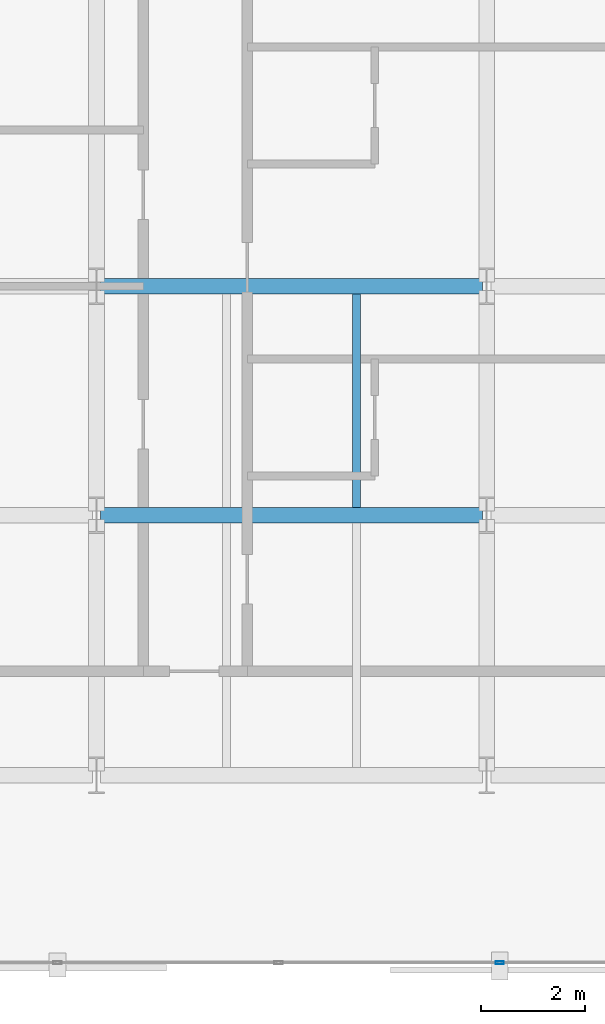
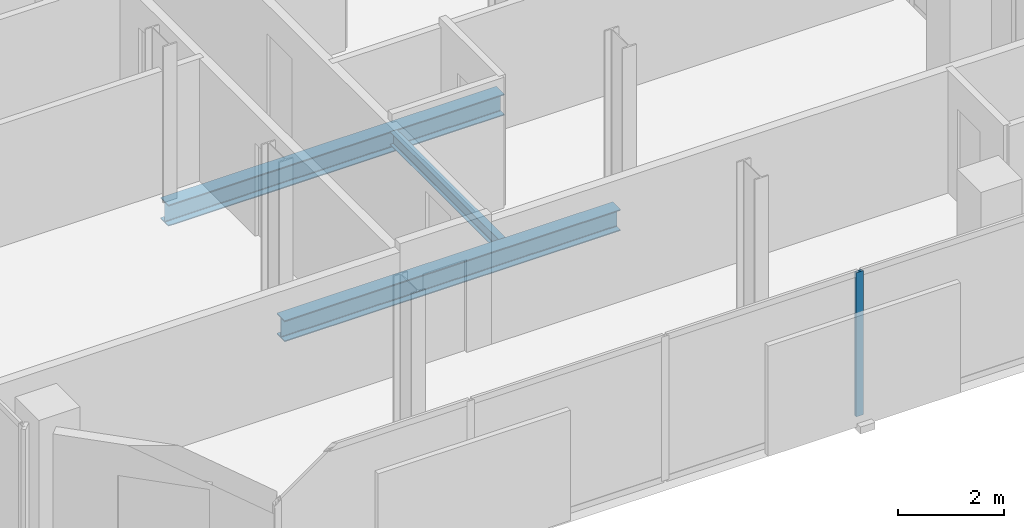
# One storey, part 6 of 34: 3 beams, 1 member, 1 element without a shape of its own.
"""IFC4 building model written with IfcOpenShell, lengths in metres."""

from ifc_helpers import new_model, si_unit, direction, frame, origin, origin_2d, place, context, subcontext, project, spatial, hollow_rectangle, i_section, extrude, material, layer, layer_set, material_profile, profile_set, type_object, element, aggregate, save


model = new_model("IFC4")

# Units and contexts
model_context = context("Model", 3, precision=1e-05, world=origin(), true_north=direction((0.0, 1.0)))
body_context = subcontext(model_context, "Body", "Model", "MODEL_VIEW")
ifc_project = project(units=[si_unit("LENGTHUNIT", "METRE"), si_unit("AREAUNIT", "SQUARE_METRE"), si_unit("VOLUMEUNIT", "CUBIC_METRE"), si_unit("PLANEANGLEUNIT", "RADIAN"), si_unit("MASSUNIT", "GRAM", prefix="KILO")], contexts=[model_context])

# Site, building, storey
site_placement = place(None, origin())
site = spatial("IfcSite", under=ifc_project, at=site_placement, CompositionType="ELEMENT")
building_placement = place(site_placement, origin())
building = spatial("IfcBuilding", under=site, at=building_placement, Name="Catumbela Crestline Tower", CompositionType="ELEMENT")
storey_placement = place(building_placement, frame((0.0, 0.0, 93.6)))
storey = spatial("IfcBuildingStorey", under=building, at=storey_placement, Name="L23", CompositionType="ELEMENT", Elevation=93.6)

# Beams
ifc_material_1 = material(Name="Structural steel S355J2", Category="steel")
ifc_material_profile_1 = material_profile(ifc_material_1, i_section(OverallWidth=0.3, OverallDepth=0.49, WebThickness=0.012, FlangeThickness=0.023, FilletRadius=0.027, at=origin_2d()), Name="HEA 500")
ifc_profile_set_1 = profile_set([ifc_material_profile_1], Name="Structural steel S355J2")
beam_type_1 = type_object("IfcBeamType", Name="BG-HEA500", PredefinedType="BEAM", material=ifc_profile_set_1)
for number, where, z_axis, x_axis, name in (
    (1, (8.58, 13.6, -0.505), (1.0, 0.0, 0.0), (0.0, 1.0, 0.0), "L23 Beam BM-L23-WEW47"),
    (2, (8.58, 18.0, -0.505), (1.0, 0.0, 0.0), (0.0, 1.0, 0.0), "L23 Beam BM-L23-WEW50"),
):
    element("IfcBeam", number, at=place(storey_placement, frame(where, z_axis=z_axis, x_axis=x_axis)), inside=storey, type_object=beam_type_1, Name=name, PredefinedType="BEAM", context=body_context, shape_type="SweptSolid", body=[
        extrude(i_section(OverallWidth=0.3, OverallDepth=0.49, WebThickness=0.012, FlangeThickness=0.023, FilletRadius=0.027, at=origin_2d()), origin(), (0.0, 0.0, 1.0), 7.34),
    ])
ifc_material_profile_2 = material_profile(ifc_material_1, i_section(OverallWidth=0.15, OverallDepth=0.3, WebThickness=0.0071, FlangeThickness=0.0107, FilletRadius=0.015, at=origin_2d()), Name="IPE 300")
ifc_profile_set_2 = profile_set([ifc_material_profile_2], Name="Structural steel S355J2")
beam_type_2 = type_object("IfcBeamType", Name="BJ-IPE300", PredefinedType="JOIST", material=ifc_profile_set_2)
beam_placement = place(storey_placement, frame((13.5, 13.747, -0.41), z_axis=(0.0, 1.0, 0.0), x_axis=(-1.0, 0.0, 0.0)))
element("IfcBeam", 3, at=beam_placement, inside=storey, type_object=beam_type_2, Name="L23 Joist JS-L23-WG72", PredefinedType="JOIST", context=body_context, shape_type="SweptSolid", body=[
    extrude(i_section(OverallWidth=0.15, OverallDepth=0.3, WebThickness=0.0071, FlangeThickness=0.0107, FilletRadius=0.015, at=origin_2d()), origin(), (0.0, 0.0, 1.0), 4.106),
])

# Curtain wall, member
ifc_material_2 = material(Name="Aluminium alloy AW-6060-T66", Category="aluminium")
ifc_layer = layer(ifc_material_2, 0.18, Name="Aluminium alloy AW-6060-T66")
ifc_layer_set = layer_set([ifc_layer], Name="Aluminium alloy AW-6060-T66")
curtain_wall_type = type_object("IfcCurtainWallType", Name="CWU-Z2", PredefinedType="USERDEFINED", material=ifc_layer_set)
curtain_wall_placement = place(storey_placement, origin())
curtain_wall = element("IfcCurtainWall", 4, at=curtain_wall_placement, inside=storey, type_object=curtain_wall_type, Name="L23 Unitised Curtain Wall CW-L23-E0S1", ObjectType="UNITISED", PredefinedType="USERDEFINED")
ifc_material_profile_3 = material_profile(ifc_material_2, hollow_rectangle(XDim=0.06, YDim=0.16, WallThickness=0.004, at=origin_2d()), Name="ALU 160x60x4")
ifc_profile_set_3 = profile_set([ifc_material_profile_3], Name="Aluminium alloy AW-6060-T66")
member_type = type_object("IfcMemberType", Name="MUL-160X60", PredefinedType="MULLION", material=ifc_profile_set_3)
member_placement = place(storey_placement, frame((16.25, 5.0, 0.0), z_axis=(0.0, 0.0, 1.0), x_axis=(0.0, 1.0, 0.0)))
member = element("IfcMember", 5, at=member_placement, type_object=member_type, Name="CWU-Z2 mullion 4", PredefinedType="MULLION", context=body_context, shape_type="SweptSolid", body=[
    extrude(hollow_rectangle(XDim=0.06, YDim=0.16, WallThickness=0.004, at=origin_2d()), origin(), (0.0, 0.0, 1.0), 3.33),
])
aggregate(curtain_wall, [member])

save(model, "model.ifc")
